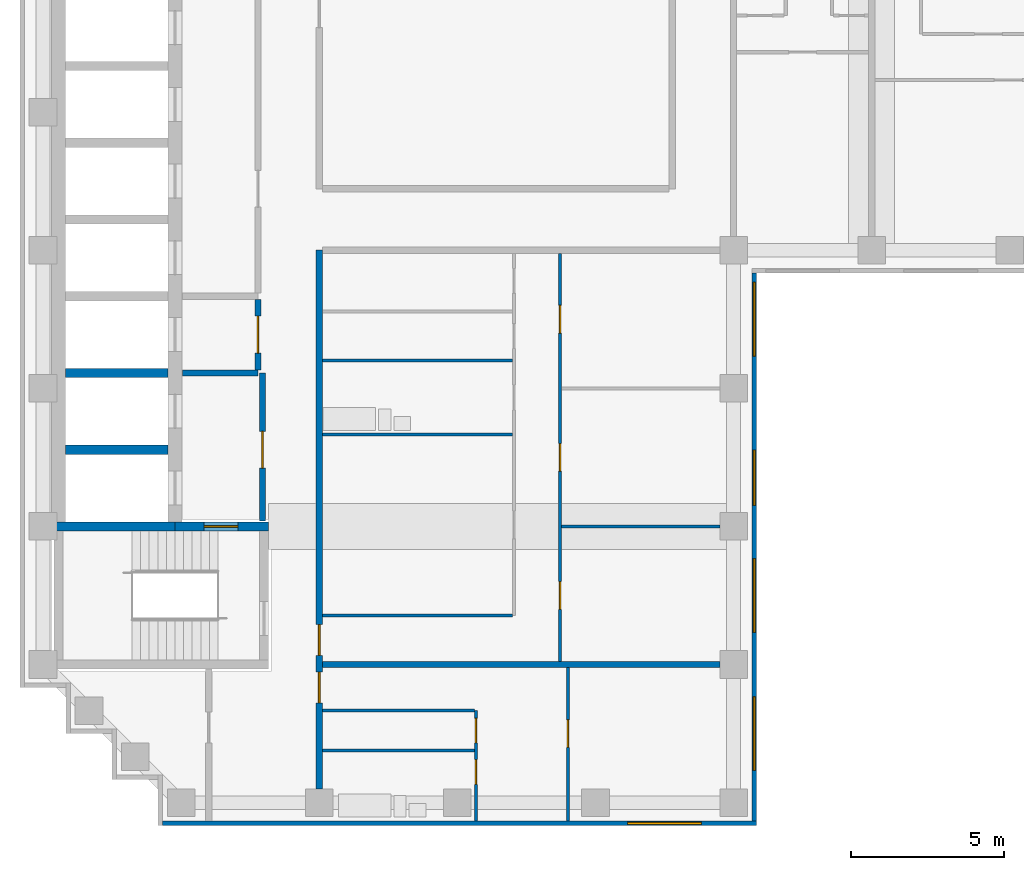
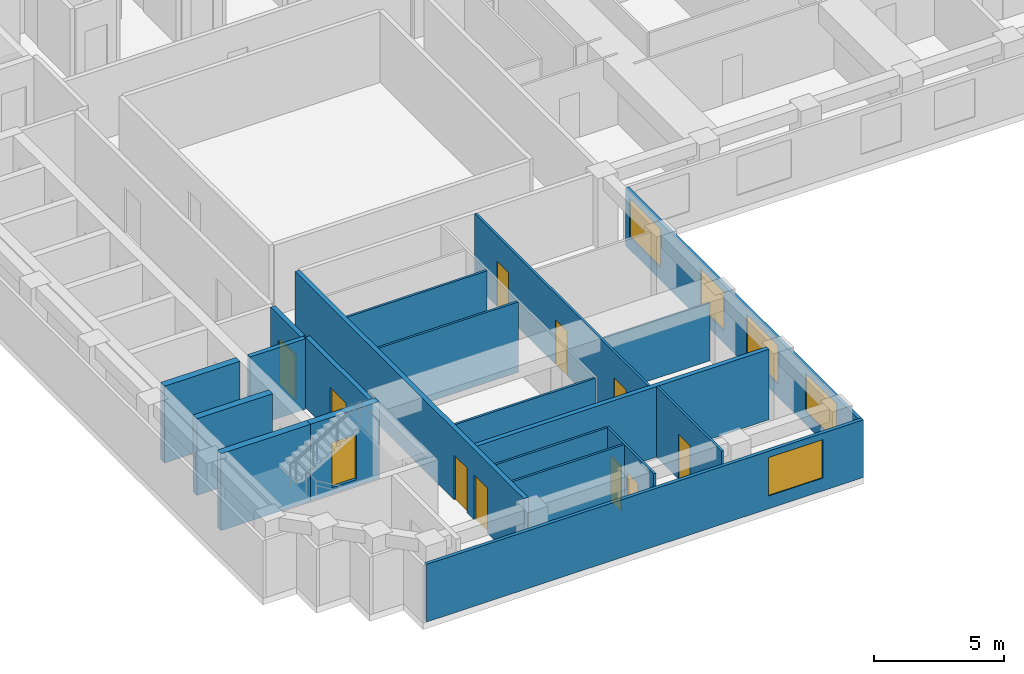
# One storey, part 2 of 9: 20 walls, 11 doors, 5 windows, 16 openings.
"""IFC4 building model written with IfcOpenShell, lengths in metres."""

from ifc_helpers import new_model, si_unit, direction, frame, frame_2d, origin, place, context, subcontext, project, spatial, rectangle, extrude, material, layer, layer_set, type_object, element, fill, save


model = new_model("IFC4")

# Units and contexts
model_context = context("Model", 3, precision=1e-05, world=origin(), true_north=direction((0.0, 1.0)))
body_context = subcontext(model_context, "Body", "Model", "MODEL_VIEW")
ifc_project = project(units=[si_unit("LENGTHUNIT", "METRE"), si_unit("AREAUNIT", "SQUARE_METRE"), si_unit("VOLUMEUNIT", "CUBIC_METRE"), si_unit("PLANEANGLEUNIT", "RADIAN"), si_unit("MASSUNIT", "GRAM", prefix="KILO")], contexts=[model_context])

# Site, building, storey
site_placement = place(None, origin())
site = spatial("IfcSite", under=ifc_project, at=site_placement, CompositionType="ELEMENT")
building_placement = place(site_placement, origin())
building = spatial("IfcBuilding", under=site, at=building_placement, Name="Firuza Court", CompositionType="ELEMENT")
storey_placement = place(building_placement, frame((0.0, 0.0, 215.0)))
storey = spatial("IfcBuildingStorey", under=building, at=storey_placement, Name="L55", CompositionType="ELEMENT", Elevation=215.0)

# Walls
ifc_material_1 = material(Name="Moisture-resistant gypsum board partition")
ifc_layer_1 = layer(ifc_material_1, 0.10009765625)
ifc_layer_set_1 = layer_set([ifc_layer_1], Name="Moisture-resistant gypsum board partition")
wall_type_1 = type_object("IfcWallType", Name="Bathroom partition 100", PredefinedType="PLUMBINGWALL", material=ifc_layer_set_1)
wall_1_placement = place(storey_placement, frame((9.10009765625, 19.699951171875, 0.0), z_axis=(0.0, 0.0, 1.0), x_axis=(1.0, 0.0, 0.0)))
element("IfcWall", 1, at=wall_1_placement, inside=storey, type_object=wall_type_1, Name="Bathroom partition 100 L55", PredefinedType="PLUMBINGWALL", context=body_context, shape_type="SweptSolid", body=[
    extrude(rectangle(XDim=4.949951171875, YDim=0.10009765625, at=frame_2d((2.47509765625, 0.0))), origin(), (0.0, 0.0, 1.0), 3.300048828125),
])
for number, where, z_axis, x_axis, name in (
    (2, (9.10009765625, 30.0, 0.0), (0.0, 0.0, 1.0), (1.0, 0.0, 0.0), "Bathroom partition 100 L55"),
    (3, (9.10009765625, 32.39990234375, 0.0), (0.0, 0.0, 1.0), (1.0, 0.0, 0.0), "Bathroom partition 100 L55"),
):
    element("IfcWall", number, at=place(storey_placement, frame(where, z_axis=z_axis, x_axis=x_axis)), inside=storey, type_object=wall_type_1, Name=name, PredefinedType="PLUMBINGWALL", context=body_context, shape_type="SweptSolid", body=[
        extrude(rectangle(XDim=6.199951171875, YDim=0.10009765625, at=frame_2d((3.10009765625, 0.0))), origin(), (0.0, 0.0, 1.0), 3.300048828125),
    ])
ifc_material_2 = material(Name="Concrete C50/60", Category="concrete")
ifc_layer_2 = layer(ifc_material_2, 0.300048828125)
ifc_layer_set_2 = layer_set([ifc_layer_2], Name="Concrete C50/60")
wall_type_2 = type_object("IfcWallType", Name="Core wall 300 C50/60", PredefinedType="SHEAR", material=ifc_layer_set_2)
wall_2_placement = place(storey_placement, frame((0.35009765625, 27.0, -0.300048828125), z_axis=(0.0, 0.0, 1.0), x_axis=(1.0, 0.0, 0.0)))
element("IfcWall", 4, at=wall_2_placement, inside=storey, type_object=wall_type_2, Name="Core wall lift shaft L55", PredefinedType="SHEAR", context=body_context, shape_type="SweptSolid", body=[
    extrude(rectangle(XDim=3.949951171875, YDim=0.300048828125, at=frame_2d((1.97509765625, 0.0))), origin(), (0.0, 0.0, 1.0), 3.60009765625),
])
for number, where, z_axis, x_axis, name in (
    (5, (0.72509765625, 29.5, -0.300048828125), (0.0, 0.0, 1.0), (1.0, 0.0, 0.0), "Core wall lift shaft L55"),
    (6, (0.72509765625, 32.0, -0.300048828125), (0.0, 0.0, 1.0), (1.0, 0.0, 0.0), "Core wall lift shaft L55"),
):
    element("IfcWall", number, at=place(storey_placement, frame(where, z_axis=z_axis, x_axis=x_axis)), inside=storey, type_object=wall_type_2, Name=name, PredefinedType="SHEAR", context=body_context, shape_type="SweptSolid", body=[
        extrude(rectangle(XDim=3.349853515625, YDim=0.300048828125, at=frame_2d((1.6748046875, 0.0))), origin(), (0.0, 0.0, 1.0), 3.60009765625),
    ])

# Wall, opening, door
wall_3_placement = place(storey_placement, frame((4.300048828125, 27.0, -0.300048828125), z_axis=(0.0, 0.0, 1.0), x_axis=(1.0, 0.0, 0.0)))
wall_3 = element("IfcWall", 7, at=wall_3_placement, inside=storey, type_object=wall_type_2, Name="Core wall stair L55", PredefinedType="SHEAR", context=body_context, shape_type="SweptSolid", body=[
    extrude(rectangle(XDim=3.050048828125, YDim=0.300048828125, at=frame_2d((1.52490234375, 0.0))), origin(), (0.0, 0.0, 1.0), 3.60009765625),
])
opening_1_placement = place(wall_3_placement, frame((0.949951171875, 0.0, 0.300048828125)))
opening_1 = element("IfcOpeningElement", 8, at=opening_1_placement, cuts=wall_3, Name="Opening D55010", PredefinedType="OPENING", context=body_context, shape_type="SweptSolid", body=[
    extrude(rectangle(XDim=1.10009765625, YDim=2.10009765625, at=frame_2d((0.550048828125, 1.050048828125))), frame((0.0, 0.162109375, 0.0), z_axis=(0.0, -1.0, 0.0), x_axis=(1.0, 0.0, 0.0)), (0.0, 0.0, 1.0), 0.323974609375),
])
ifc_material_3 = material(Name="Timber door leaf in hardwood frame", Category="wood")
door_type_1 = type_object("IfcDoorType", Name="Stair door 1100", OperationType="SINGLE_SWING_LEFT", PredefinedType="DOOR", material=ifc_material_3)
door_1_placement = place(opening_1_placement, frame((1.10009765625, 0.0, 0.0), z_axis=(0.0, 0.0, 1.0), x_axis=(-1.0, 0.0, 0.0)))
door_1 = element("IfcDoor", 9, at=door_1_placement, inside=storey, type_object=door_type_1, Name="Fire-fighting lobby door", OperationType="SINGLE_SWING_LEFT", OverallHeight=2.10009765625, OverallWidth=1.10009765625, PredefinedType="DOOR", context=body_context, shape_type="SweptSolid", body=[
    extrude(rectangle(XDim=1.10009765625, YDim=2.10009765625, at=frame_2d((0.550048828125, 1.050048828125))), frame((0.0, 0.02490234375, 0.0), z_axis=(0.0, -1.0, 0.0), x_axis=(1.0, 0.0, 0.0)), (0.0, 0.0, 1.0), 0.050048828125),
])
fill(opening_1, door_1)

# Wall, openings, doors
ifc_material_4 = material(Name="Blockwork, plastered both sides", Category="masonry")
ifc_layer_3 = layer(ifc_material_4, 0.199951171875)
ifc_layer_set_3 = layer_set([ifc_layer_3], Name="Blockwork, plastered both sides")
wall_type_3 = type_object("IfcWallType", Name="Corridor wall 200", PredefinedType="PARTITIONING", material=ifc_layer_set_3)
wall_4_placement = place(storey_placement, frame((9.0, 18.449951171875, 0.0), z_axis=(0.0, 0.0, 1.0), x_axis=(0.0, 1.0, 0.0)))
wall_4 = element("IfcWall", 10, at=wall_4_placement, inside=storey, type_object=wall_type_3, Name="Corridor wall 200 L55", PredefinedType="PARTITIONING", context=body_context, shape_type="SweptSolid", body=[
    extrude(rectangle(XDim=17.550048828125, YDim=0.199951171875, at=frame_2d((8.77490234375, 0.0))), origin(), (0.0, 0.0, 1.0), 3.300048828125),
])
opening_2_placement = place(wall_4_placement, frame((4.35009765625, 0.0, 0.0)))
opening_2 = element("IfcOpeningElement", 11, at=opening_2_placement, cuts=wall_4, Name="Opening D55017", PredefinedType="OPENING", context=body_context, shape_type="SweptSolid", body=[
    extrude(rectangle(XDim=1.0, YDim=2.10009765625, at=frame_2d((0.5, 1.050048828125))), frame((0.0, 0.11181640625, 0.0), z_axis=(0.0, -1.0, 0.0), x_axis=(1.0, 0.0, 0.0)), (0.0, 0.0, 1.0), 0.223876953125),
])
opening_3_placement = place(wall_4_placement, frame((2.800048828125, 0.0, 0.0)))
opening_3 = element("IfcOpeningElement", 12, at=opening_3_placement, cuts=wall_4, Name="Opening D55018", PredefinedType="OPENING", context=body_context, shape_type="SweptSolid", body=[
    extrude(rectangle(XDim=1.0, YDim=2.10009765625, at=frame_2d((0.5, 1.050048828125))), frame((0.0, 0.11181640625, 0.0), z_axis=(0.0, -1.0, 0.0), x_axis=(1.0, 0.0, 0.0)), (0.0, 0.0, 1.0), 0.223876953125),
])
ifc_material_5 = material(Name="Timber door leaf in hardwood frame", Category="wood")
door_type_2 = type_object("IfcDoorType", Name="Flat entrance door 1000", OperationType="SINGLE_SWING_LEFT", PredefinedType="DOOR", material=ifc_material_5)
door_2_placement = place(opening_2_placement, origin())
door_2 = element("IfcDoor", 13, at=door_2_placement, inside=storey, type_object=door_type_2, Name="Flat entrance door", OperationType="SINGLE_SWING_LEFT", OverallHeight=2.10009765625, OverallWidth=1.0, PredefinedType="DOOR", context=body_context, shape_type="SweptSolid", body=[
    extrude(rectangle(XDim=1.0, YDim=2.10009765625, at=frame_2d((0.5, 1.050048828125))), frame((0.0, 0.02490234375, 0.0), z_axis=(0.0, -1.0, 0.0), x_axis=(1.0, 0.0, 0.0)), (0.0, 0.0, 1.0), 0.050048828125),
])
fill(opening_2, door_2)
door_3_placement = place(opening_3_placement, origin())
door_3 = element("IfcDoor", 14, at=door_3_placement, inside=storey, type_object=door_type_2, Name="Flat entrance door", OperationType="SINGLE_SWING_LEFT", OverallHeight=2.10009765625, OverallWidth=1.0, PredefinedType="DOOR", context=body_context, shape_type="SweptSolid", body=[
    extrude(rectangle(XDim=1.0, YDim=2.10009765625, at=frame_2d((0.5, 1.050048828125))), frame((0.0, 0.02490234375, 0.0), z_axis=(0.0, -1.0, 0.0), x_axis=(1.0, 0.0, 0.0)), (0.0, 0.0, 1.0), 0.050048828125),
])
fill(opening_3, door_3)

ifc_material_6 = material(Name="Timber stud partition, plasterboard both sides", Category="wood")
ifc_layer_4 = layer(ifc_material_6, 0.10009765625)
ifc_layer_set_4 = layer_set([ifc_layer_4], Name="Timber stud partition, plasterboard both sides")
wall_type_4 = type_object("IfcWallType", Name="Partition wall 100", PredefinedType="PARTITIONING", material=ifc_layer_set_4)
wall_5_placement = place(storey_placement, frame((14.10009765625, 17.39990234375, 0.0), z_axis=(0.0, 0.0, 1.0), x_axis=(0.0, 1.0, 0.0)))
wall_5 = element("IfcWall", 15, at=wall_5_placement, inside=storey, type_object=wall_type_4, Name="Partition wall 100 L55", PredefinedType="PARTITIONING", context=body_context, shape_type="SweptSolid", body=[
    extrude(rectangle(XDim=3.60009765625, YDim=0.10009765625, at=frame_2d((1.800048828125, 0.0))), origin(), (0.0, 0.0, 1.0), 3.300048828125),
])
opening_4_placement = place(wall_5_placement, frame((1.199951171875, 0.0, 0.0)))
opening_4 = element("IfcOpeningElement", 16, at=opening_4_placement, cuts=wall_5, Name="Opening D55014", PredefinedType="OPENING", context=body_context, shape_type="SweptSolid", body=[
    extrude(rectangle(XDim=0.800048828125, YDim=2.10009765625, at=frame_2d((0.39990234375, 1.050048828125))), frame((0.0, 0.06201171875, 0.0), z_axis=(0.0, -1.0, 0.0), x_axis=(1.0, 0.0, 0.0)), (0.0, 0.0, 1.0), 0.1240234375),
])
opening_5_placement = place(wall_5_placement, frame((2.550048828125, 0.0, 0.0)))
opening_5 = element("IfcOpeningElement", 17, at=opening_5_placement, cuts=wall_5, Name="Opening D55015", PredefinedType="OPENING", context=body_context, shape_type="SweptSolid", body=[
    extrude(rectangle(XDim=0.800048828125, YDim=2.10009765625, at=frame_2d((0.39990234375, 1.050048828125))), frame((0.0, 0.06201171875, 0.0), z_axis=(0.0, -1.0, 0.0), x_axis=(1.0, 0.0, 0.0)), (0.0, 0.0, 1.0), 0.1240234375),
])
ifc_material_7 = material(Name="Timber door leaf in hardwood frame", Category="wood")
door_type_3 = type_object("IfcDoorType", Name="Bathroom door 800", OperationType="SINGLE_SWING_LEFT", PredefinedType="DOOR", material=ifc_material_7)
door_4_placement = place(opening_4_placement, origin())
door_4 = element("IfcDoor", 18, at=door_4_placement, inside=storey, type_object=door_type_3, Name="Bathroom door", OperationType="SINGLE_SWING_RIGHT", OverallHeight=2.10009765625, OverallWidth=0.800048828125, PredefinedType="DOOR", context=body_context, shape_type="SweptSolid", body=[
    extrude(rectangle(XDim=0.800048828125, YDim=2.10009765625, at=frame_2d((0.39990234375, 1.050048828125))), frame((0.0, 0.02490234375, 0.0), z_axis=(0.0, -1.0, 0.0), x_axis=(1.0, 0.0, 0.0)), (0.0, 0.0, 1.0), 0.050048828125),
])
fill(opening_4, door_4)
ifc_material_8 = material(Name="Timber door leaf in hardwood frame", Category="wood")
door_type_4 = type_object("IfcDoorType", Name="Room door 800", OperationType="SINGLE_SWING_LEFT", PredefinedType="DOOR", material=ifc_material_8)
door_5_placement = place(opening_5_placement, origin())
door_5 = element("IfcDoor", 19, at=door_5_placement, inside=storey, type_object=door_type_4, Name="Kitchen door", OperationType="SINGLE_SWING_LEFT", OverallHeight=2.10009765625, OverallWidth=0.800048828125, PredefinedType="DOOR", context=body_context, shape_type="SweptSolid", body=[
    extrude(rectangle(XDim=0.800048828125, YDim=2.10009765625, at=frame_2d((0.39990234375, 1.050048828125))), frame((0.0, 0.02490234375, 0.0), z_axis=(0.0, -1.0, 0.0), x_axis=(1.0, 0.0, 0.0)), (0.0, 0.0, 1.0), 0.050048828125),
])
fill(opening_5, door_5)

# Wall, opening, door
wall_6_placement = place(storey_placement, frame((17.10009765625, 17.39990234375, 0.0), z_axis=(0.0, 0.0, 1.0), x_axis=(0.0, 1.0, 0.0)))
wall_6 = element("IfcWall", 20, at=wall_6_placement, inside=storey, type_object=wall_type_4, Name="Partition wall 100 L55", PredefinedType="PARTITIONING", context=body_context, shape_type="SweptSolid", body=[
    extrude(rectangle(XDim=5.0, YDim=0.10009765625, at=frame_2d((2.5, 0.0))), origin(), (0.0, 0.0, 1.0), 3.300048828125),
])
opening_6_placement = place(wall_6_placement, frame((2.39990234375, 0.0, 0.0)))
opening_6 = element("IfcOpeningElement", 21, at=opening_6_placement, cuts=wall_6, Name="Opening D55016", PredefinedType="OPENING", context=body_context, shape_type="SweptSolid", body=[
    extrude(rectangle(XDim=0.89990234375, YDim=2.10009765625, at=frame_2d((0.449951171875, 1.050048828125))), frame((0.0, 0.06201171875, 0.0), z_axis=(0.0, -1.0, 0.0), x_axis=(1.0, 0.0, 0.0)), (0.0, 0.0, 1.0), 0.1240234375),
])
ifc_material_9 = material(Name="Timber door leaf in hardwood frame", Category="wood")
door_type_5 = type_object("IfcDoorType", Name="Room door 900", OperationType="SINGLE_SWING_LEFT", PredefinedType="DOOR", material=ifc_material_9)
door_6_placement = place(opening_6_placement, frame((0.89990234375, 0.0, 0.0), z_axis=(0.0, 0.0, 1.0), x_axis=(-1.0, 0.0, 0.0)))
door_6 = element("IfcDoor", 22, at=door_6_placement, inside=storey, type_object=door_type_5, Name="Studio room door", OperationType="SINGLE_SWING_LEFT", OverallHeight=2.10009765625, OverallWidth=0.89990234375, PredefinedType="DOOR", context=body_context, shape_type="SweptSolid", body=[
    extrude(rectangle(XDim=0.89990234375, YDim=2.10009765625, at=frame_2d((0.449951171875, 1.050048828125))), frame((0.0, 0.02490234375, 0.0), z_axis=(0.0, -1.0, 0.0), x_axis=(1.0, 0.0, 0.0)), (0.0, 0.0, 1.0), 0.050048828125),
])
fill(opening_6, door_6)

# Wall
wall_7_placement = place(storey_placement, frame((9.10009765625, 21.0, 0.0), z_axis=(0.0, 0.0, 1.0), x_axis=(1.0, 0.0, 0.0)))
element("IfcWall", 23, at=wall_7_placement, inside=storey, type_object=wall_type_4, Name="Partition wall 100 L55", PredefinedType="PARTITIONING", context=body_context, shape_type="SweptSolid", body=[
    extrude(rectangle(XDim=4.949951171875, YDim=0.10009765625, at=frame_2d((2.47509765625, 0.0))), origin(), (0.0, 0.0, 1.0), 3.300048828125),
])

# Wall, openings, doors
wall_8_placement = place(storey_placement, frame((16.85009765625, 22.60009765625, 0.0), z_axis=(0.0, 0.0, 1.0), x_axis=(0.0, 1.0, 0.0)))
wall_8 = element("IfcWall", 24, at=wall_8_placement, inside=storey, type_object=wall_type_4, Name="Partition wall 100 L55", PredefinedType="PARTITIONING", context=body_context, shape_type="SweptSolid", body=[
    extrude(rectangle(XDim=13.2998046875, YDim=0.10009765625, at=frame_2d((6.64990234375, 0.0))), origin(), (0.0, 0.0, 1.0), 3.300048828125),
])
opening_7_placement = place(wall_8_placement, frame((1.699951171875, 0.0, 0.0)))
opening_7 = element("IfcOpeningElement", 25, at=opening_7_placement, cuts=wall_8, Name="Opening D55019", PredefinedType="OPENING", context=body_context, shape_type="SweptSolid", body=[
    extrude(rectangle(XDim=0.89990234375, YDim=2.10009765625, at=frame_2d((0.449951171875, 1.050048828125))), frame((0.0, 0.06201171875, 0.0), z_axis=(0.0, -1.0, 0.0), x_axis=(1.0, 0.0, 0.0)), (0.0, 0.0, 1.0), 0.1240234375),
])
opening_8_placement = place(wall_8_placement, frame((6.199951171875, 0.0, 0.0)))
opening_8 = element("IfcOpeningElement", 26, at=opening_8_placement, cuts=wall_8, Name="Opening D55020", PredefinedType="OPENING", context=body_context, shape_type="SweptSolid", body=[
    extrude(rectangle(XDim=0.89990234375, YDim=2.10009765625, at=frame_2d((0.449951171875, 1.050048828125))), frame((0.0, 0.06201171875, 0.0), z_axis=(0.0, -1.0, 0.0), x_axis=(1.0, 0.0, 0.0)), (0.0, 0.0, 1.0), 0.1240234375),
])
opening_9_placement = place(wall_8_placement, frame((10.699951171875, 0.0, 0.0)))
opening_9 = element("IfcOpeningElement", 27, at=opening_9_placement, cuts=wall_8, Name="Opening D55021", PredefinedType="OPENING", context=body_context, shape_type="SweptSolid", body=[
    extrude(rectangle(XDim=0.89990234375, YDim=2.10009765625, at=frame_2d((0.449951171875, 1.050048828125))), frame((0.0, 0.06201171875, 0.0), z_axis=(0.0, -1.0, 0.0), x_axis=(1.0, 0.0, 0.0)), (0.0, 0.0, 1.0), 0.1240234375),
])
door_7_placement = place(opening_7_placement, frame((0.89990234375, 0.0, 0.0), z_axis=(0.0, 0.0, 1.0), x_axis=(-1.0, 0.0, 0.0)))
door_7 = element("IfcDoor", 28, at=door_7_placement, inside=storey, type_object=door_type_5, Name="Living room door", OperationType="SINGLE_SWING_RIGHT", OverallHeight=2.10009765625, OverallWidth=0.89990234375, PredefinedType="DOOR", context=body_context, shape_type="SweptSolid", body=[
    extrude(rectangle(XDim=0.89990234375, YDim=2.10009765625, at=frame_2d((0.449951171875, 1.050048828125))), frame((0.0, 0.02490234375, 0.0), z_axis=(0.0, -1.0, 0.0), x_axis=(1.0, 0.0, 0.0)), (0.0, 0.0, 1.0), 0.050048828125),
])
fill(opening_7, door_7)
door_8_placement = place(opening_8_placement, frame((0.89990234375, 0.0, 0.0), z_axis=(0.0, 0.0, 1.0), x_axis=(-1.0, 0.0, 0.0)))
door_8 = element("IfcDoor", 29, at=door_8_placement, inside=storey, type_object=door_type_5, Name="Bedroom door", OperationType="SINGLE_SWING_RIGHT", OverallHeight=2.10009765625, OverallWidth=0.89990234375, PredefinedType="DOOR", context=body_context, shape_type="SweptSolid", body=[
    extrude(rectangle(XDim=0.89990234375, YDim=2.10009765625, at=frame_2d((0.449951171875, 1.050048828125))), frame((0.0, 0.02490234375, 0.0), z_axis=(0.0, -1.0, 0.0), x_axis=(1.0, 0.0, 0.0)), (0.0, 0.0, 1.0), 0.050048828125),
])
fill(opening_8, door_8)
door_9_placement = place(opening_9_placement, frame((0.89990234375, 0.0, 0.0), z_axis=(0.0, 0.0, 1.0), x_axis=(-1.0, 0.0, 0.0)))
door_9 = element("IfcDoor", 30, at=door_9_placement, inside=storey, type_object=door_type_5, Name="Bedroom door", OperationType="SINGLE_SWING_RIGHT", OverallHeight=2.10009765625, OverallWidth=0.89990234375, PredefinedType="DOOR", context=body_context, shape_type="SweptSolid", body=[
    extrude(rectangle(XDim=0.89990234375, YDim=2.10009765625, at=frame_2d((0.449951171875, 1.050048828125))), frame((0.0, 0.02490234375, 0.0), z_axis=(0.0, -1.0, 0.0), x_axis=(1.0, 0.0, 0.0)), (0.0, 0.0, 1.0), 0.050048828125),
])
fill(opening_9, door_9)

# Walls
wall_9_placement = place(storey_placement, frame((9.10009765625, 24.10009765625, 0.0), z_axis=(0.0, 0.0, 1.0), x_axis=(1.0, 0.0, 0.0)))
element("IfcWall", 31, at=wall_9_placement, inside=storey, type_object=wall_type_4, Name="Partition wall 100 L55", PredefinedType="PARTITIONING", context=body_context, shape_type="SweptSolid", body=[
    extrude(rectangle(XDim=6.199951171875, YDim=0.10009765625, at=frame_2d((3.10009765625, 0.0))), origin(), (0.0, 0.0, 1.0), 3.300048828125),
])
wall_10_placement = place(storey_placement, frame((16.89990234375, 27.0, 0.0), z_axis=(0.0, 0.0, 1.0), x_axis=(1.0, 0.0, 0.0)))
element("IfcWall", 32, at=wall_10_placement, inside=storey, type_object=wall_type_4, Name="Partition wall 100 L55", PredefinedType="PARTITIONING", context=body_context, shape_type="SweptSolid", body=[
    extrude(rectangle(XDim=5.150146484375, YDim=0.10009765625, at=frame_2d((2.5751953125, 0.0))), origin(), (0.0, 0.0, 1.0), 2.699951171875),
])
ifc_layer_5 = layer(ifc_material_4, 0.199951171875)
ifc_layer_set_5 = layer_set([ifc_layer_5], Name="Blockwork, plastered both sides")
wall_type_5 = type_object("IfcWallType", Name="Party wall 200", PredefinedType="PARTITIONING", material=ifc_layer_set_5)
wall_11_placement = place(storey_placement, frame((9.10009765625, 22.5, 0.0), z_axis=(0.0, 0.0, 1.0), x_axis=(1.0, 0.0, 0.0)))
element("IfcWall", 33, at=wall_11_placement, inside=storey, type_object=wall_type_5, Name="Party wall 200 L55", PredefinedType="PARTITIONING", context=body_context, shape_type="SweptSolid", body=[
    extrude(rectangle(XDim=12.949951171875, YDim=0.199951171875, at=frame_2d((6.47509765625, 0.0))), origin(), (0.0, 0.0, 1.0), 3.300048828125),
])

# Wall, opening, window
ifc_material_10 = material(Name="Ceramic tile", Category="ceramic")
ifc_layer_6 = layer(ifc_material_10, 0.02001953125)
ifc_material_11 = material(Name="Mineral wool insulation", Category="insulation")
ifc_layer_7 = layer(ifc_material_11, 0.050048828125)
ifc_material_12 = material(Name="Concrete C40/50 precast", Category="concrete")
ifc_layer_8 = layer(ifc_material_12, 0.080078125)
ifc_layer_set_6 = layer_set([ifc_layer_6, ifc_layer_7, ifc_layer_8], Name="Concrete C40/50 precast")
wall_type_6 = type_object("IfcWallType", Name="Precast cladding wall with turquoise TILE PANEL face 150", PredefinedType="STANDARD", material=ifc_layer_set_6)
wall_12_placement = place(storey_placement, frame((3.89990234375, 17.324951171875, 0.0), z_axis=(0.0, 0.0, 1.0), x_axis=(1.0, 0.0, 0.0)))
wall_12 = element("IfcWall", 34, at=wall_12_placement, inside=storey, type_object=wall_type_6, Name="Facade wall L55 S", PredefinedType="STANDARD", context=body_context, shape_type="SweptSolid", body=[
    extrude(rectangle(XDim=19.35009765625, YDim=0.14990234375, at=frame_2d((9.675048828125, 0.0))), origin(), (0.0, 0.0, 1.0), 2.699951171875),
])
opening_10_placement = place(wall_12_placement, frame((15.14990234375, 0.0, 0.60009765625)))
opening_10 = element("IfcOpeningElement", 35, at=opening_10_placement, cuts=wall_12, Name="Opening W1", PredefinedType="OPENING", context=body_context, shape_type="SweptSolid", body=[
    extrude(rectangle(XDim=2.39990234375, YDim=1.800048828125, at=frame_2d((1.199951171875, 0.89990234375))), frame((0.0, 0.0869140625, 0.0), z_axis=(0.0, -1.0, 0.0), x_axis=(1.0, 0.0, 0.0)), (0.0, 0.0, 1.0), 0.173828125),
])
ifc_material_13 = material(Name="Aluminium frame, triple clear glazing", Category="aluminium")
window_type_1 = type_object("IfcWindowType", Name="Window W1 2400 x 1800", PartitioningType="SINGLE_PANEL", PredefinedType="WINDOW", material=ifc_material_13)
window_1_placement = place(opening_10_placement, origin())
window_1 = element("IfcWindow", 36, at=window_1_placement, inside=storey, type_object=window_type_1, Name="Window L55", OverallHeight=1.800048828125, OverallWidth=2.39990234375, PartitioningType="SINGLE_PANEL", PredefinedType="WINDOW", context=body_context, shape_type="SweptSolid", body=[
    extrude(rectangle(XDim=2.39990234375, YDim=1.800048828125, at=frame_2d((1.199951171875, 0.89990234375))), frame((0.0, 0.030029296875, 0.0), z_axis=(0.0, -1.0, 0.0), x_axis=(1.0, 0.0, 0.0)), (0.0, 0.0, 1.0), 0.06005859375),
])
fill(opening_10, window_1)

# Wall, openings, windows
wall_13_placement = place(storey_placement, frame((23.175048828125, 17.39990234375, 0.0), z_axis=(0.0, 0.0, 1.0), x_axis=(0.0, 1.0, 0.0)))
wall_13 = element("IfcWall", 37, at=wall_13_placement, inside=storey, type_object=wall_type_6, Name="Facade wall L55 E", PredefinedType="STANDARD", context=body_context, shape_type="SweptSolid", body=[
    extrude(rectangle(XDim=17.85009765625, YDim=0.14990234375, at=frame_2d((8.925048828125, 0.0))), origin(), (0.0, 0.0, 1.0), 2.699951171875),
])
opening_11_placement = place(wall_13_placement, frame((1.64990234375, 0.0, 0.60009765625)))
opening_11 = element("IfcOpeningElement", 38, at=opening_11_placement, cuts=wall_13, Name="Opening W1", PredefinedType="OPENING", context=body_context, shape_type="SweptSolid", body=[
    extrude(rectangle(XDim=2.39990234375, YDim=1.800048828125, at=frame_2d((1.199951171875, 0.89990234375))), frame((0.0, 0.0869140625, 0.0), z_axis=(0.0, -1.0, 0.0), x_axis=(1.0, 0.0, 0.0)), (0.0, 0.0, 1.0), 0.173828125),
])
opening_12_placement = place(wall_13_placement, frame((6.14990234375, 0.0, 0.60009765625)))
opening_12 = element("IfcOpeningElement", 39, at=opening_12_placement, cuts=wall_13, Name="Opening W1", PredefinedType="OPENING", context=body_context, shape_type="SweptSolid", body=[
    extrude(rectangle(XDim=2.39990234375, YDim=1.800048828125, at=frame_2d((1.199951171875, 0.89990234375))), frame((0.0, 0.0869140625, 0.0), z_axis=(0.0, -1.0, 0.0), x_axis=(1.0, 0.0, 0.0)), (0.0, 0.0, 1.0), 0.173828125),
])
opening_13_placement = place(wall_13_placement, frame((10.287841796875, 0.0, 0.60009765625)))
opening_13 = element("IfcOpeningElement", 40, at=opening_13_placement, cuts=wall_13, Name="Opening W7", PredefinedType="OPENING", context=body_context, shape_type="SweptSolid", body=[
    extrude(rectangle(XDim=1.800048828125, YDim=1.800048828125, at=frame_2d((0.89990234375, 0.89990234375))), frame((0.0, 0.0869140625, 0.0), z_axis=(0.0, -1.0, 0.0), x_axis=(1.0, 0.0, 0.0)), (0.0, 0.0, 1.0), 0.173828125),
])
opening_14_placement = place(wall_13_placement, frame((15.14990234375, 0.0, 0.60009765625)))
opening_14 = element("IfcOpeningElement", 41, at=opening_14_placement, cuts=wall_13, Name="Opening W1", PredefinedType="OPENING", context=body_context, shape_type="SweptSolid", body=[
    extrude(rectangle(XDim=2.39990234375, YDim=1.800048828125, at=frame_2d((1.199951171875, 0.89990234375))), frame((0.0, 0.0869140625, 0.0), z_axis=(0.0, -1.0, 0.0), x_axis=(1.0, 0.0, 0.0)), (0.0, 0.0, 1.0), 0.173828125),
])
window_2_placement = place(opening_11_placement, origin())
window_2 = element("IfcWindow", 42, at=window_2_placement, inside=storey, type_object=window_type_1, Name="Window L55", OverallHeight=1.800048828125, OverallWidth=2.39990234375, PartitioningType="SINGLE_PANEL", PredefinedType="WINDOW", context=body_context, shape_type="SweptSolid", body=[
    extrude(rectangle(XDim=2.39990234375, YDim=1.800048828125, at=frame_2d((1.199951171875, 0.89990234375))), frame((0.0, 0.030029296875, 0.0), z_axis=(0.0, -1.0, 0.0), x_axis=(1.0, 0.0, 0.0)), (0.0, 0.0, 1.0), 0.06005859375),
])
fill(opening_11, window_2)
window_3_placement = place(opening_12_placement, origin())
window_3 = element("IfcWindow", 43, at=window_3_placement, inside=storey, type_object=window_type_1, Name="Window L55", OverallHeight=1.800048828125, OverallWidth=2.39990234375, PartitioningType="SINGLE_PANEL", PredefinedType="WINDOW", context=body_context, shape_type="SweptSolid", body=[
    extrude(rectangle(XDim=2.39990234375, YDim=1.800048828125, at=frame_2d((1.199951171875, 0.89990234375))), frame((0.0, 0.030029296875, 0.0), z_axis=(0.0, -1.0, 0.0), x_axis=(1.0, 0.0, 0.0)), (0.0, 0.0, 1.0), 0.06005859375),
])
fill(opening_12, window_3)
window_4_placement = place(opening_14_placement, origin())
window_4 = element("IfcWindow", 44, at=window_4_placement, inside=storey, type_object=window_type_1, Name="Window L55", OverallHeight=1.800048828125, OverallWidth=2.39990234375, PartitioningType="SINGLE_PANEL", PredefinedType="WINDOW", context=body_context, shape_type="SweptSolid", body=[
    extrude(rectangle(XDim=2.39990234375, YDim=1.800048828125, at=frame_2d((1.199951171875, 0.89990234375))), frame((0.0, 0.030029296875, 0.0), z_axis=(0.0, -1.0, 0.0), x_axis=(1.0, 0.0, 0.0)), (0.0, 0.0, 1.0), 0.06005859375),
])
fill(opening_14, window_4)
ifc_material_14 = material(Name="Aluminium frame, triple clear glazing", Category="aluminium")
window_type_2 = type_object("IfcWindowType", Name="Window W7 1800 x 1800", PartitioningType="SINGLE_PANEL", PredefinedType="WINDOW", material=ifc_material_14)
window_5_placement = place(opening_13_placement, origin())
window_5 = element("IfcWindow", 45, at=window_5_placement, inside=storey, type_object=window_type_2, Name="Window L55", OverallHeight=1.800048828125, OverallWidth=1.800048828125, PartitioningType="SINGLE_PANEL", PredefinedType="WINDOW", context=body_context, shape_type="SweptSolid", body=[
    extrude(rectangle(XDim=1.800048828125, YDim=1.800048828125, at=frame_2d((0.89990234375, 0.89990234375))), frame((0.0, 0.030029296875, 0.0), z_axis=(0.0, -1.0, 0.0), x_axis=(1.0, 0.0, 0.0)), (0.0, 0.0, 1.0), 0.06005859375),
])
fill(opening_13, window_5)

# Wall
ifc_material_15 = material(Name="Blockwork, fire-rated", Category="masonry")
ifc_layer_9 = layer(ifc_material_15, 0.199951171875)
ifc_layer_set_7 = layer_set([ifc_layer_9], Name="Blockwork, fire-rated")
wall_type_7 = type_object("IfcWallType", Name="Shaft wall 200", PredefinedType="PARTITIONING", material=ifc_layer_set_7)
wall_14_placement = place(storey_placement, frame((4.544921875, 32.0, 0.0), z_axis=(0.0, 0.0, 1.0), x_axis=(1.0, 0.0, 0.0)))
element("IfcWall", 46, at=wall_14_placement, inside=storey, type_object=wall_type_7, Name="Shaft wall 200 L55", PredefinedType="PARTITIONING", context=body_context, shape_type="SweptSolid", body=[
    extrude(rectangle(XDim=2.455078125, YDim=0.199951171875, at=frame_2d((1.2275390625, 0.0))), origin(), (0.0, 0.0, 1.0), 3.300048828125),
])

# Wall, opening, door
wall_15_placement = place(storey_placement, frame((7.0, 32.10009765625, 0.0), z_axis=(0.0, 0.0, 1.0), x_axis=(0.0, 1.0, 0.0)))
wall_15 = element("IfcWall", 47, at=wall_15_placement, inside=storey, type_object=wall_type_7, Name="Shaft wall 200 L55", PredefinedType="PARTITIONING", context=body_context, shape_type="SweptSolid", body=[
    extrude(rectangle(XDim=2.2998046875, YDim=0.199951171875, at=frame_2d((1.14990234375, 0.0))), origin(), (0.0, 0.0, 1.0), 3.300048828125),
])
opening_15_placement = place(wall_15_placement, frame((0.550048828125, 0.0, 0.0)))
opening_15 = element("IfcOpeningElement", 48, at=opening_15_placement, cuts=wall_15, Name="Opening D55007", PredefinedType="OPENING", context=body_context, shape_type="SweptSolid", body=[
    extrude(rectangle(XDim=1.199951171875, YDim=2.10009765625, at=frame_2d((0.60009765625, 1.050048828125))), frame((0.0, 0.11181640625, 0.0), z_axis=(0.0, -1.0, 0.0), x_axis=(1.0, 0.0, 0.0)), (0.0, 0.0, 1.0), 0.223876953125),
])
ifc_material_16 = material(Name="Timber door leaf in hardwood frame", Category="wood")
door_type_6 = type_object("IfcDoorType", Name="Lobby door 1200", OperationType="SINGLE_SWING_LEFT", PredefinedType="DOOR", material=ifc_material_16)
door_10_placement = place(opening_15_placement, origin())
door_10 = element("IfcDoor", 49, at=door_10_placement, inside=storey, type_object=door_type_6, Name="Lobby door", OperationType="SINGLE_SWING_LEFT", OverallHeight=2.10009765625, OverallWidth=1.199951171875, PredefinedType="DOOR", context=body_context, shape_type="SweptSolid", body=[
    extrude(rectangle(XDim=1.199951171875, YDim=2.10009765625, at=frame_2d((0.60009765625, 1.050048828125))), frame((0.0, 0.02490234375, 0.0), z_axis=(0.0, -1.0, 0.0), x_axis=(1.0, 0.0, 0.0)), (0.0, 0.0, 1.0), 0.050048828125),
])
fill(opening_15, door_10)

wall_16_placement = place(storey_placement, frame((7.14990234375, 27.169921875, 0.0), z_axis=(0.0, 0.0, 1.0), x_axis=(0.0, 1.0, 0.0)))
wall_16 = element("IfcWall", 50, at=wall_16_placement, inside=storey, type_object=wall_type_7, Name="Shaft wall 200 L55", PredefinedType="PARTITIONING", context=body_context, shape_type="SweptSolid", body=[
    extrude(rectangle(XDim=4.830078125, YDim=0.199951171875, at=frame_2d((2.4150390625, 0.0))), origin(), (0.0, 0.0, 1.0), 3.300048828125),
])
opening_16_placement = place(wall_16_placement, frame((1.72998046875, 0.0, 0.0)))
opening_16 = element("IfcOpeningElement", 51, at=opening_16_placement, cuts=wall_16, Name="Opening D55002", PredefinedType="OPENING", context=body_context, shape_type="SweptSolid", body=[
    extrude(rectangle(XDim=1.199951171875, YDim=2.10009765625, at=frame_2d((0.60009765625, 1.050048828125))), frame((0.0, 0.11181640625, 0.0), z_axis=(0.0, -1.0, 0.0), x_axis=(1.0, 0.0, 0.0)), (0.0, 0.0, 1.0), 0.223876953125),
])
door_11_placement = place(opening_16_placement, origin())
door_11 = element("IfcDoor", 52, at=door_11_placement, inside=storey, type_object=door_type_6, Name="Fire-fighting lobby door", OperationType="SINGLE_SWING_LEFT", OverallHeight=2.10009765625, OverallWidth=1.199951171875, PredefinedType="DOOR", context=body_context, shape_type="SweptSolid", body=[
    extrude(rectangle(XDim=1.199951171875, YDim=2.10009765625, at=frame_2d((0.60009765625, 1.050048828125))), frame((0.0, 0.02490234375, 0.0), z_axis=(0.0, -1.0, 0.0), x_axis=(1.0, 0.0, 0.0)), (0.0, 0.0, 1.0), 0.050048828125),
])
fill(opening_16, door_11)

save(model, "model.ifc")
